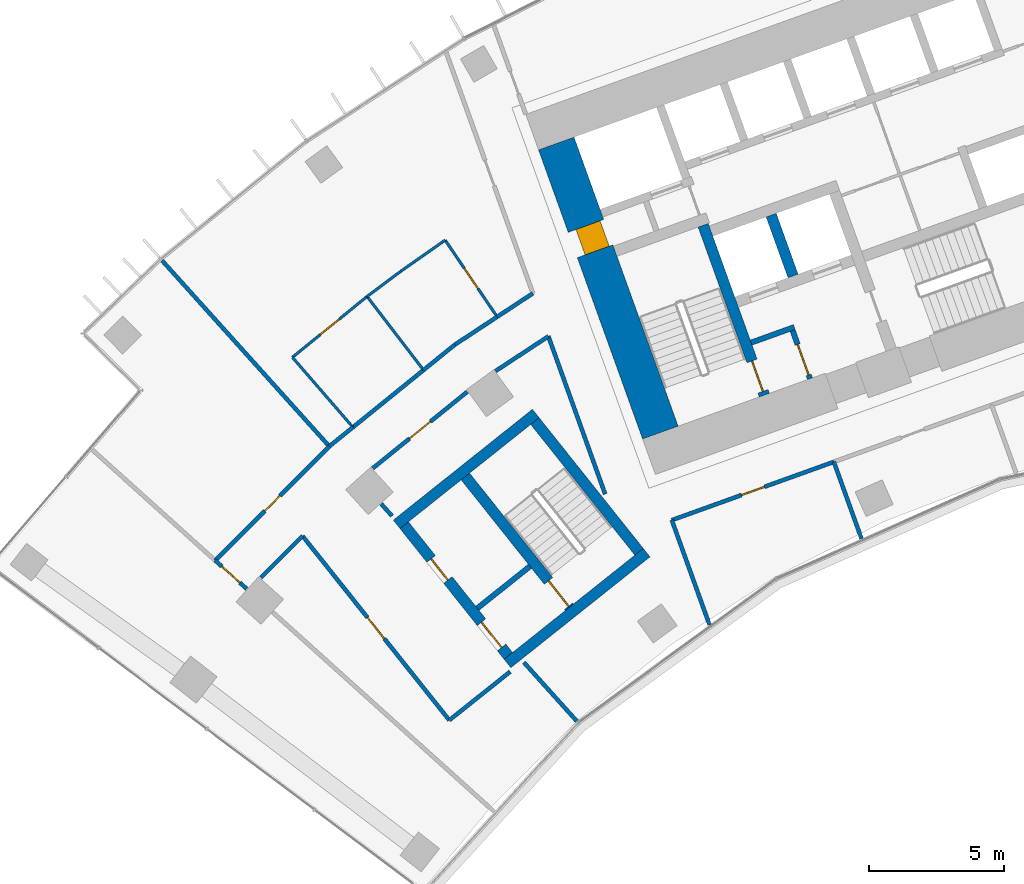
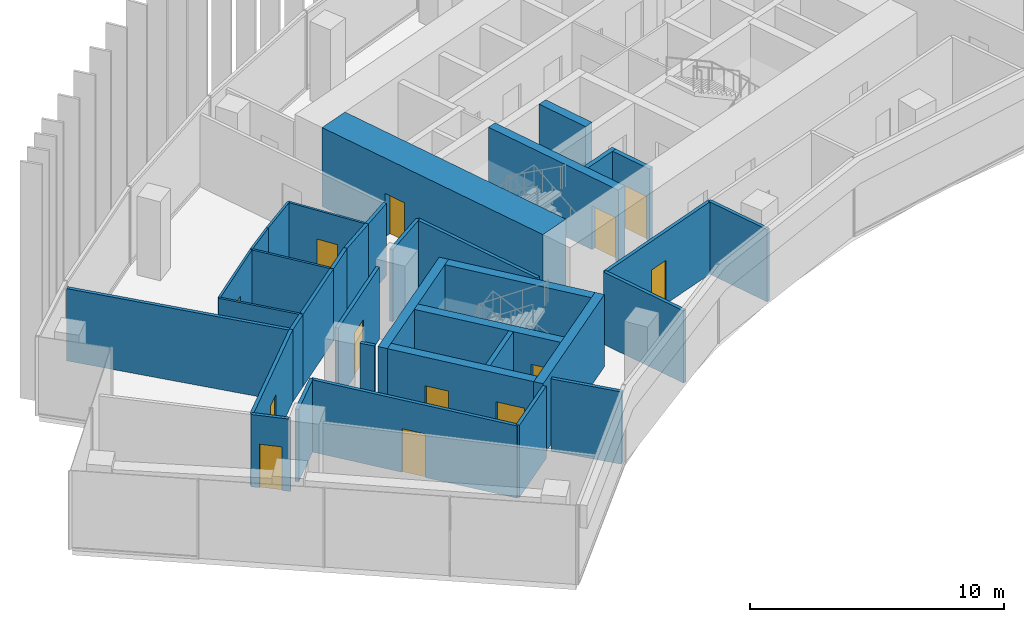
# One storey, part 15 of 23: 36 walls, 13 doors, 13 openings.
"""IFC4 building model written with IfcOpenShell, lengths in metres."""

import ifcopenshell
import ifcopenshell.guid

model = None  # the IFC model being written
_history = None  # IfcOwnerHistory: only IFC2X3 demands one
_inside = {}  # id of a spatial element -> (the spatial element, [elements in it])
_under = {}  # id of a project, library or spatial element -> (it, [spatial elements below it])
_declared = {}  # id of a project -> (the project, [libraries it declares])
_typed = {}  # id of a type object -> (the type object, [elements of that type])
_made_of = {}  # id of a material, layer set ... -> (it, [elements and type objects made of it])


def new_model(schema):
    """Start an empty IFC model of exactly this schema.

    Asked for "IFC4X3", IfcOpenShell would pick the latest addendum, in which some entities
    have other attributes; the version numbers below select the first issue.
    IFC2X3 requires an IfcOwnerHistory on every rooted entity: one is made here for all.
    """
    global model, _history
    if schema == "IFC4X3":
        model = ifcopenshell.file(schema_version=(4, 3, 0, 0))
    else:
        model = ifcopenshell.file(schema=schema)
    _inside.clear()
    _under.clear()
    _declared.clear()
    _typed.clear()
    _made_of.clear()
    _history = None
    if model.schema == "IFC2X3":
        org = make("IfcOrganization", Name="unknown")
        user = make(
            "IfcPersonAndOrganization",
            ThePerson=make("IfcPerson", FamilyName="unknown"),
            TheOrganization=org,
        )
        app = make(
            "IfcApplication",
            ApplicationDeveloper=org,
            Version="unknown",
            ApplicationFullName="unknown",
            ApplicationIdentifier="unknown",
        )
        _history = make(
            "IfcOwnerHistory",
            OwningUser=user,
            OwningApplication=app,
            ChangeAction="ADDED",
            CreationDate=0,
        )
    return model


def make(cls, **values):
    """One entity of the class cls with the attributes given. An attribute that is None is left unset."""
    return model.create_entity(
        cls, **{name: value for name, value in values.items() if value is not None}
    )


def rooted(cls, **values):
    """An entity with a GlobalId (a new one), such as an element, a storey or a relation."""
    return make(cls, GlobalId=ifcopenshell.guid.new(), OwnerHistory=_history, **values)


def si_unit(unit_type, name, prefix=None):
    """IfcSIUnit, for example si_unit("LENGTHUNIT", "METRE", prefix="MILLI")."""
    return make("IfcSIUnit", UnitType=unit_type, Prefix=prefix, Name=name)


def assignment(units):
    """IfcUnitAssignment: the units of a project."""
    return None if units is None else make("IfcUnitAssignment", Units=units)


def point(xyz):
    """IfcCartesianPoint."""
    return None if xyz is None else make("IfcCartesianPoint", Coordinates=xyz)


def direction(xyz):
    """IfcDirection."""
    return None if xyz is None else make("IfcDirection", DirectionRatios=xyz)


def frame(location, z_axis=None, x_axis=None):
    """IfcAxis2Placement3D, a coordinate frame: its origin and axes. An axis left out is left unset."""
    return make(
        "IfcAxis2Placement3D",
        Location=point(location),
        Axis=direction(z_axis),
        RefDirection=direction(x_axis),
    )


def frame_2d(location, x_axis=None):
    """IfcAxis2Placement2D, a coordinate frame in the plane: its origin and x axis."""
    return make(
        "IfcAxis2Placement2D", Location=point(location), RefDirection=direction(x_axis)
    )


def origin():
    """The frame at (0, 0, 0) with its axes left unset."""
    return frame((0.0, 0.0, 0.0))


def place(relative_to, where):
    """IfcLocalPlacement: puts the frame where relative to a parent placement (None: the world)."""
    return make(
        "IfcLocalPlacement", PlacementRelTo=relative_to, RelativePlacement=where
    )


def context(
    kind, dimensions, precision=None, world=None, true_north=None, identifier=None
):
    """IfcGeometricRepresentationContext, for example the 3D "Model" context."""
    return make(
        "IfcGeometricRepresentationContext",
        ContextIdentifier=identifier,
        ContextType=kind,
        CoordinateSpaceDimension=dimensions,
        Precision=precision,
        WorldCoordinateSystem=world,
        TrueNorth=true_north,
    )


def subcontext(parent, identifier, kind, view, scale=None):
    """IfcGeometricRepresentationSubContext, for example "Body" below "Model"."""
    return make(
        "IfcGeometricRepresentationSubContext",
        ContextIdentifier=identifier,
        ContextType=kind,
        ParentContext=parent,
        TargetScale=scale,
        TargetView=view,
    )


def project(units=None, contexts=None):
    """IfcProject with its units and contexts."""
    return rooted(
        "IfcProject",
        Name="project",
        RepresentationContexts=contexts,
        UnitsInContext=assignment(units),
    )


def spatial(cls, under=None, at=None, **own):
    """A site, building, storey or space (cls), placed at a placement, below another one or the project."""
    s = rooted(cls, ObjectPlacement=at, **own)
    if under is not None:
        _under.setdefault(under.id(), (under, []))[1].append(s)
    return s


def profile(cls, at=None, kind="AREA", **sizes):
    """A parametric profile (cls). Its sizes go by their IFC names, for example OverallWidth=200.0."""
    return make(cls, ProfileType=kind, Position=at, **sizes)


def rectangle(**sizes):
    """IfcRectangleProfileDef."""
    return profile("IfcRectangleProfileDef", **sizes)


def extrude(swept, where, along, depth):
    """IfcExtrudedAreaSolid: the profile swept, set in the frame where, extruded along a direction by depth."""
    return make(
        "IfcExtrudedAreaSolid",
        SweptArea=swept,
        Position=where,
        ExtrudedDirection=direction(along),
        Depth=depth,
    )


def shape(context_of_items, identifier, shape_type, items):
    """IfcShapeRepresentation: the items that make up one representation, for example the "Body"."""
    return make(
        "IfcShapeRepresentation",
        ContextOfItems=context_of_items,
        RepresentationIdentifier=identifier,
        RepresentationType=shape_type,
        Items=items,
    )


def material(Name=None, Category=None):
    """IfcMaterial."""
    return make("IfcMaterial", Name=Name, Category=Category)


def layer(
    of_material, thickness, ventilated=None, Name=None, Category=None, Priority=None
):
    """IfcMaterialLayer: one layer of a wall or slab, of a material (None: an air gap)."""
    return make(
        "IfcMaterialLayer",
        Material=of_material,
        LayerThickness=thickness,
        IsVentilated=ventilated,
        Name=Name,
        Category=Category,
        Priority=Priority,
    )


def layer_set(layers, Name=None):
    """IfcMaterialLayerSet."""
    return make("IfcMaterialLayerSet", MaterialLayers=layers, LayerSetName=Name)


def made_of(thing, what):
    """Note that an element or type object is made of a material, layer set ...; save() writes the relation."""
    if what is not None:
        _made_of.setdefault(what.id(), (what, []))[1].append(thing)
    return thing


def type_object(cls, material=None, **own):
    """A type object (cls), such as IfcWallType, which elements share."""
    return made_of(rooted(cls, **own), material)


def element(
    cls,
    number,
    at=None,
    inside=None,
    cuts=None,
    type_object=None,
    material=None,
    context=None,
    identifier="Body",
    shape_type=None,
    held_by="IfcProductDefinitionShape",
    body=None,
    shapes=None,
    **own,
):
    """One element of the class cls, such as IfcWall. Its Tag is "e" and its number.

    at: its placement. inside: the storey or other place that contains it. cuts: it is an
    opening in that element (IfcRelVoidsElement). A single representation is given by context,
    identifier, shape_type and body (its items); several are given by shapes. held_by: the class
    of the entity that holds the representations. save() writes the other relations.
    """
    e = rooted(cls, Tag="e%d" % number, ObjectPlacement=at, **own)
    if body is not None:
        shapes = [shape(context, identifier, shape_type, body)]
    if shapes is not None:
        e.Representation = make(held_by, Representations=shapes)
    if inside is not None:
        _inside.setdefault(inside.id(), (inside, []))[1].append(e)
    if cuts is not None:
        rooted(
            "IfcRelVoidsElement", RelatingBuildingElement=cuts, RelatedOpeningElement=e
        )
    if type_object is not None:
        _typed.setdefault(type_object.id(), (type_object, []))[1].append(e)
    return made_of(e, material)


def fill(opening, filler):
    """IfcRelFillsElement: the door or window that sits in an opening."""
    return rooted(
        "IfcRelFillsElement",
        RelatingOpeningElement=opening,
        RelatedBuildingElement=filler,
    )


def aggregate(whole, parts):
    """IfcRelAggregates: a whole, such as a stair, and the parts it consists of."""
    return rooted("IfcRelAggregates", RelatingObject=whole, RelatedObjects=parts)


def save(model, path):
    """Write the relations noted so far, then the file.

    IfcRelAggregates (storeys below a building ...), IfcRelContainedInSpatialStructure (elements
    in a storey), IfcRelDefinesByType, IfcRelAssociatesMaterial and IfcRelDeclares: one each for
    every whole, place, type object, material and project.
    """
    for whole, parts in _under.values():
        aggregate(whole, parts)
    for where, things in _inside.values():
        rooted(
            "IfcRelContainedInSpatialStructure",
            RelatedElements=things,
            RelatingStructure=where,
        )
    for kind, things in _typed.values():
        rooted("IfcRelDefinesByType", RelatedObjects=things, RelatingType=kind)
    for what, things in _made_of.values():
        rooted("IfcRelAssociatesMaterial", RelatedObjects=things, RelatingMaterial=what)
    for by, libraries in _declared.values():
        rooted("IfcRelDeclares", RelatingContext=by, RelatedDefinitions=libraries)
    model.write(path)


model = new_model("IFC4")

# Units and contexts
model_context = context("Model", 3, precision=1e-05, world=origin(), true_north=direction((0.0, 1.0)))
body_context = subcontext(model_context, "Body", "Model", "MODEL_VIEW")
ifc_project = project(units=[si_unit("LENGTHUNIT", "METRE"), si_unit("AREAUNIT", "SQUARE_METRE"), si_unit("VOLUMEUNIT", "CUBIC_METRE"), si_unit("PLANEANGLEUNIT", "RADIAN"), si_unit("MASSUNIT", "GRAM", prefix="KILO")], contexts=[model_context])

# Site, building, storey
site_placement = place(None, origin())
site = spatial("IfcSite", under=ifc_project, at=site_placement, CompositionType="ELEMENT")
building_placement = place(site_placement, origin())
building = spatial("IfcBuilding", under=site, at=building_placement, Name="Stone Belt Terrace Tower", CompositionType="ELEMENT")
storey_placement = place(building_placement, frame((0.0, 0.0, 178.199951171875)))
storey = spatial("IfcBuildingStorey", under=building, at=storey_placement, Name="L43", CompositionType="ELEMENT", Elevation=178.199951171875)

# Wall, opening, door
ifc_material_1 = material(Name="Concrete B80", Category="concrete")
ifc_layer_1 = layer(ifc_material_1, 1.39990234375)
ifc_layer_set_1 = layer_set([ifc_layer_1], Name="Core wall 1400 B80")
wall_type_1 = type_object("IfcWallType", Name="Core wall 1400 B80", PredefinedType="SHEAR", material=ifc_layer_set_1)
wall_1_placement = place(storey_placement, frame((-26.00927734375, 43.03515625, 0.0), z_axis=(0.0, 0.0, 1.0), x_axis=(-0.338625431531, 0.940921259788, 0.0)))
wall_1 = element("IfcWall", 1, at=wall_1_placement, inside=storey, type_object=wall_type_1, Name="Core A wall end_a L43", PredefinedType="SHEAR", context=body_context, shape_type="SweptSolid", body=[
    extrude(rectangle(XDim=11.400146484375, YDim=1.39990234375, at=frame_2d((5.7001953125, 0.0))), origin(), (0.0, 0.0, 1.0), 3.800048828125),
])
opening_1_placement = place(wall_1_placement, frame((7.14990234375, 0.0, 0.0)))
opening_1 = element("IfcOpeningElement", 2, at=opening_1_placement, cuts=wall_1, Name="Opening L43-C04", PredefinedType="OPENING", context=body_context, shape_type="SweptSolid", body=[
    extrude(rectangle(XDim=1.0, YDim=2.10009765625, at=frame_2d((0.5, 1.050048828125))), frame((0.0, 0.7099609375, 0.0), z_axis=(0.0, -1.0, 0.0), x_axis=(1.0, 0.0, 0.0)), (0.0, 0.0, 1.0), 1.419921875),
])
ifc_material_2 = material(Name="Timber door leaf", Category="wood")
door_type_1 = type_object("IfcDoorType", Name="Core room door 1000", OperationType="SINGLE_SWING_LEFT", PredefinedType="DOOR", material=ifc_material_2)
door_1_placement = place(opening_1_placement, origin())
door_1 = element("IfcDoor", 3, at=door_1_placement, inside=storey, type_object=door_type_1, Name="Door to Telecommunications riser room core A", OperationType="SINGLE_SWING_LEFT", OverallHeight=2.10009765625, OverallWidth=1.0, PredefinedType="DOOR", context=body_context, shape_type="SweptSolid", body=[
    extrude(rectangle(XDim=1.0, YDim=2.10009765625, at=frame_2d((0.5, 1.050048828125))), frame((0.0, 0.39501953125, 0.0), z_axis=(0.0, -1.0, 0.0), x_axis=(1.0, 0.0, 0.0)), (0.0, 0.0, 1.0), 0.949951171875),
])
fill(opening_1, door_1)

# Wall
ifc_layer_2 = layer(ifc_material_1, 0.39990234375)
ifc_layer_set_2 = layer_set([ifc_layer_2], Name="Fire-fighting lift shaft wall 400")
wall_type_2 = type_object("IfcWallType", Name="Fire-fighting lift shaft wall 400", PredefinedType="SHEAR", material=ifc_layer_set_2)
wall_2_placement = place(storey_placement, frame((-21.0859375, 48.845458984375, 0.0), z_axis=(0.0, 0.0, 1.0), x_axis=(-0.338629416206, 0.940919825745, 0.0)))
element("IfcWall", 4, at=wall_2_placement, inside=storey, type_object=wall_type_2, Name="Core A wall", PredefinedType="SHEAR", context=body_context, shape_type="SweptSolid", body=[
    extrude(rectangle(XDim=2.400146484375, YDim=0.39990234375, at=frame_2d((1.2001953125, 0.0))), origin(), (0.0, 0.0, 1.0), 3.47998046875),
])

# Wall, opening, door
ifc_material_3 = material(Name="Gypsum board partition")
ifc_layer_3 = layer(ifc_material_3, 0.10009765625)
ifc_layer_set_3 = layer_set([ifc_layer_3], Name="PARTITION 100")
wall_type_3 = type_object("IfcWallType", Name="PARTITION 100", PredefinedType="PARTITIONING", material=ifc_layer_set_3)
wall_3_placement = place(storey_placement, frame((-36.89111328125, 48.0859375, 0.0), z_axis=(0.0, 0.0, 1.0), x_axis=(-0.775070161855, -0.631875180872, 0.0)))
wall_3 = element("IfcWall", 5, at=wall_3_placement, inside=storey, type_object=wall_type_3, Name="L43/wall/i050", PredefinedType="PARTITIONING", context=body_context, shape_type="SweptSolid", body=[
    extrude(rectangle(XDim=3.573486328125, YDim=0.10009765625, at=frame_2d((1.78662109375, 0.0))), origin(), (0.0, 0.0, 1.0), 3.47998046875),
])
opening_2_placement = place(wall_3_placement, frame((1.3369140625, 0.0, 0.0)))
opening_2 = element("IfcOpeningElement", 6, at=opening_2_placement, cuts=wall_3, Name="Opening D-C4-15", PredefinedType="OPENING", context=body_context, shape_type="SweptSolid", body=[
    extrude(rectangle(XDim=0.89990234375, YDim=2.10009765625, at=frame_2d((0.449951171875, 1.050048828125))), frame((0.0, 0.06005859375, 0.0), z_axis=(0.0, -1.0, 0.0), x_axis=(1.0, 0.0, 0.0)), (0.0, 0.0, 1.0), 0.1201171875),
])
door_type_2 = type_object("IfcDoorType", Name="OFFICE DOOR 900 X 2100", OperationType="NOTDEFINED", PredefinedType="DOOR", material=ifc_material_2)
door_2_placement = place(opening_2_placement, origin())
door_2 = element("IfcDoor", 7, at=door_2_placement, inside=storey, type_object=door_type_2, Name="L43/door/i15", OperationType="SINGLE_SWING_RIGHT", OverallHeight=2.10009765625, OverallWidth=0.89990234375, PredefinedType="DOOR", context=body_context, shape_type="SweptSolid", body=[
    extrude(rectangle(XDim=0.89990234375, YDim=2.10009765625, at=frame_2d((0.449951171875, 1.050048828125))), frame((0.0, 0.02490234375, 0.0), z_axis=(0.0, -1.0, 0.0), x_axis=(1.0, 0.0, 0.0)), (0.0, 0.0, 1.0), 0.050048828125),
])
fill(opening_2, door_2)

# Wall
wall_4_placement = place(storey_placement, frame((-39.660888671875, 45.827880859375, 0.0), z_axis=(0.0, 0.0, 1.0), x_axis=(0.654388482768, -0.756158524134, 0.0)))
element("IfcWall", 8, at=wall_4_placement, inside=storey, type_object=wall_type_3, Name="L43/wall/i051", PredefinedType="PARTITIONING", context=body_context, shape_type="SweptSolid", body=[
    extrude(rectangle(XDim=3.430419921875, YDim=0.10009765625, at=frame_2d((1.71533203125, 0.0))), origin(), (0.0, 0.0, 1.0), 3.47998046875),
])

# Wall, opening, door
wall_5_placement = place(storey_placement, frame((-32.06494140625, 47.330078125, 0.0), z_axis=(0.0, 0.0, 1.0), x_axis=(-0.560863849022, 0.827908052178, 0.0)))
wall_5 = element("IfcWall", 9, at=wall_5_placement, inside=storey, type_object=wall_type_3, Name="L43/wall/i052", PredefinedType="PARTITIONING", context=body_context, shape_type="SweptSolid", body=[
    extrude(rectangle(XDim=3.4375, YDim=0.10009765625, at=frame_2d((1.71875, 0.0))), origin(), (0.0, 0.0, 1.0), 3.47998046875),
])
opening_3_placement = place(wall_5_placement, frame((1.268798828125, 0.0, 0.0)))
opening_3 = element("IfcOpeningElement", 10, at=opening_3_placement, cuts=wall_5, Name="Opening D-C4-16", PredefinedType="OPENING", context=body_context, shape_type="SweptSolid", body=[
    extrude(rectangle(XDim=0.89990234375, YDim=2.10009765625, at=frame_2d((0.449951171875, 1.050048828125))), frame((0.0, 0.06005859375, 0.0), z_axis=(0.0, -1.0, 0.0), x_axis=(1.0, 0.0, 0.0)), (0.0, 0.0, 1.0), 0.1201171875),
])
door_3_placement = place(opening_3_placement, origin())
door_3 = element("IfcDoor", 11, at=door_3_placement, inside=storey, type_object=door_type_2, Name="L43/door/i16", OperationType="SINGLE_SWING_RIGHT", OverallHeight=2.10009765625, OverallWidth=0.89990234375, PredefinedType="DOOR", context=body_context, shape_type="SweptSolid", body=[
    extrude(rectangle(XDim=0.89990234375, YDim=2.10009765625, at=frame_2d((0.449951171875, 1.050048828125))), frame((0.0, 0.02490234375, 0.0), z_axis=(0.0, -1.0, 0.0), x_axis=(1.0, 0.0, 0.0)), (0.0, 0.0, 1.0), 0.050048828125),
])
fill(opening_3, door_3)

# Walls
wall_6_placement = place(storey_placement, frame((-33.992919921875, 50.176025390625, 0.0), z_axis=(0.0, 0.0, 1.0), x_axis=(-0.818696166389, -0.574226947418, 0.0)))
element("IfcWall", 12, at=wall_6_placement, inside=storey, type_object=wall_type_3, Name="L43/wall/i053", PredefinedType="PARTITIONING", context=body_context, shape_type="SweptSolid", body=[
    extrude(rectangle(XDim=1.992431640625, YDim=0.10009765625, at=frame_2d((0.99609375, 0.0))), origin(), (0.0, 0.0, 1.0), 3.47998046875),
])
wall_7_placement = place(storey_placement, frame((-35.6240234375, 49.031982421875, 0.0), z_axis=(0.0, 0.0, 1.0), x_axis=(-0.801295024865, -0.598269406812, 0.0)))
element("IfcWall", 13, at=wall_7_placement, inside=storey, type_object=wall_type_3, Name="L43/wall/i054", PredefinedType="PARTITIONING", context=body_context, shape_type="SweptSolid", body=[
    extrude(rectangle(XDim=1.581298828125, YDim=0.10009765625, at=frame_2d((0.79052734375, 0.0))), origin(), (0.0, 0.0, 1.0), 3.47998046875),
])
wall_8_placement = place(storey_placement, frame((-36.89111328125, 48.0859375, 0.0), z_axis=(0.0, 0.0, 1.0), x_axis=(0.60861624927, -0.793464719521, 0.0)))
element("IfcWall", 14, at=wall_8_placement, inside=storey, type_object=wall_type_3, Name="L43/wall/i056", PredefinedType="PARTITIONING", context=body_context, shape_type="SweptSolid", body=[
    extrude(rectangle(XDim=3.440673828125, YDim=0.10009765625, at=frame_2d((1.72021484375, 0.0))), origin(), (0.0, 0.0, 1.0), 3.47998046875),
])
ifc_layer_4 = layer(ifc_material_3, 0.14990234375)
ifc_layer_set_4 = layer_set([ifc_layer_4], Name="PARTITION 150 EI 60")
wall_type_4 = type_object("IfcWallType", Name="PARTITION 150 EI 60", PredefinedType="PARTITIONING", material=ifc_layer_set_4)
wall_9_placement = place(storey_placement, frame((-25.5859375, 39.79296875, 0.0), z_axis=(0.0, 0.0, 1.0), x_axis=(0.338545933013, -0.940949866486, 0.0)))
element("IfcWall", 15, at=wall_9_placement, inside=storey, type_object=wall_type_4, Name="L43/wall/i001", PredefinedType="PARTITIONING", context=body_context, shape_type="SweptSolid", body=[
    extrude(rectangle(XDim=4.135009765625, YDim=0.14990234375, at=frame_2d((2.0673828125, 0.0))), origin(), (0.0, 0.0, 1.0), 3.47998046875),
])
wall_10_placement = place(storey_placement, frame((-28.05810546875, 40.75390625, 0.0), z_axis=(0.0, 0.0, 1.0), x_axis=(-0.338523697563, 0.94095786632, 0.0)))
element("IfcWall", 16, at=wall_10_placement, inside=storey, type_object=wall_type_4, Name="L43/wall/i003", PredefinedType="PARTITIONING", context=body_context, shape_type="SweptSolid", body=[
    extrude(rectangle(XDim=6.226806640625, YDim=0.14990234375, at=frame_2d((3.11328125, 0.0))), origin(), (0.0, 0.0, 1.0), 3.47998046875),
])
wall_11_placement = place(storey_placement, frame((-29.107177734375, 32.32666015625, 0.0), z_axis=(0.0, 0.0, 1.0), x_axis=(-0.669245075227, 0.74304174128, 0.0)))
element("IfcWall", 17, at=wall_11_placement, inside=storey, type_object=wall_type_4, Name="L43/wall/i004", PredefinedType="PARTITIONING", context=body_context, shape_type="SweptSolid", body=[
    extrude(rectangle(XDim=2.9345703125, YDim=0.14990234375, at=frame_2d((1.46728515625, 0.0))), origin(), (0.0, 0.0, 1.0), 3.47998046875),
])

# Wall, opening, door
wall_12_placement = place(storey_placement, frame((-19.56689453125, 41.951904296875, 0.0), z_axis=(0.0, 0.0, 1.0), x_axis=(-0.94095504423, -0.338531541718, 0.0)))
wall_12 = element("IfcWall", 18, at=wall_12_placement, inside=storey, type_object=wall_type_4, Name="L43/wall/i011", PredefinedType="PARTITIONING", context=body_context, shape_type="SweptSolid", body=[
    extrude(rectangle(XDim=6.394775390625, YDim=0.14990234375, at=frame_2d((3.197265625, 0.0))), origin(), (0.0, 0.0, 1.0), 3.47998046875),
])
opening_4_placement = place(wall_12_placement, frame((2.747314453125, 0.0, 0.0)))
opening_4 = element("IfcOpeningElement", 19, at=opening_4_placement, cuts=wall_12, Name="Opening D-C4-01", PredefinedType="OPENING", context=body_context, shape_type="SweptSolid", body=[
    extrude(rectangle(XDim=0.89990234375, YDim=2.10009765625, at=frame_2d((0.449951171875, 1.050048828125))), frame((0.0, 0.0849609375, 0.0), z_axis=(0.0, -1.0, 0.0), x_axis=(1.0, 0.0, 0.0)), (0.0, 0.0, 1.0), 0.169921875),
])
door_4_placement = place(opening_4_placement, origin())
door_4 = element("IfcDoor", 20, at=door_4_placement, inside=storey, type_object=door_type_2, Name="L43/door/i01", OperationType="SINGLE_SWING_RIGHT", OverallHeight=2.10009765625, OverallWidth=0.89990234375, PredefinedType="DOOR", context=body_context, shape_type="SweptSolid", body=[
    extrude(rectangle(XDim=0.89990234375, YDim=2.10009765625, at=frame_2d((0.449951171875, 1.050048828125))), frame((0.0, 0.02490234375, 0.0), z_axis=(0.0, -1.0, 0.0), x_axis=(1.0, 0.0, 0.0)), (0.0, 0.0, 1.0), 0.050048828125),
])
fill(opening_4, door_4)

# Wall
wall_13_placement = place(storey_placement, frame((-19.572998046875, 41.949951171875, 0.0), z_axis=(0.0, 0.0, 1.0), x_axis=(0.33890202665, -0.940821670845, 0.0)))
element("IfcWall", 21, at=wall_13_placement, inside=storey, type_object=wall_type_4, Name="L43/wall/i014", PredefinedType="PARTITIONING", context=body_context, shape_type="SweptSolid", body=[
    extrude(rectangle(XDim=3.03076171875, YDim=0.14990234375, at=frame_2d((1.515380859375, 0.0))), origin(), (0.0, 0.0, 1.0), 3.47998046875),
])

# Wall, opening, door
wall_14_placement = place(storey_placement, frame((-41.35986328125, 37.240478515625, 0.0), z_axis=(0.0, 0.0, 1.0), x_axis=(-0.742885543222, 0.669418456327, 0.0)))
wall_14 = element("IfcWall", 22, at=wall_14_placement, inside=storey, type_object=wall_type_4, Name="L43/wall/i035", PredefinedType="PARTITIONING", context=body_context, shape_type="SweptSolid", body=[
    extrude(rectangle(XDim=1.5751953125, YDim=0.14990234375, at=frame_2d((0.78759765625, 0.0))), origin(), (0.0, 0.0, 1.0), 3.47998046875),
])
opening_5_placement = place(wall_14_placement, frame((0.337646484375, 0.0, 0.0)))
opening_5 = element("IfcOpeningElement", 23, at=opening_5_placement, cuts=wall_14, Name="Opening D-C4-11", PredefinedType="OPENING", context=body_context, shape_type="SweptSolid", body=[
    extrude(rectangle(XDim=0.89990234375, YDim=2.10009765625, at=frame_2d((0.449951171875, 1.050048828125))), frame((0.0, 0.0849609375, 0.0), z_axis=(0.0, -1.0, 0.0), x_axis=(1.0, 0.0, 0.0)), (0.0, 0.0, 1.0), 0.169921875),
])
door_5_placement = place(opening_5_placement, origin())
door_5 = element("IfcDoor", 24, at=door_5_placement, inside=storey, type_object=door_type_2, Name="L43/door/i11", OperationType="SINGLE_SWING_RIGHT", OverallHeight=2.10009765625, OverallWidth=0.89990234375, PredefinedType="DOOR", context=body_context, shape_type="SweptSolid", body=[
    extrude(rectangle(XDim=0.89990234375, YDim=2.10009765625, at=frame_2d((0.449951171875, 1.050048828125))), frame((0.0, 0.02490234375, 0.0), z_axis=(0.0, -1.0, 0.0), x_axis=(1.0, 0.0, 0.0)), (0.0, 0.0, 1.0), 0.050048828125),
])
fill(opening_5, door_5)

# Wall
wall_15_placement = place(storey_placement, frame((-30.1640625, 46.60693359375, 0.0), z_axis=(0.0, 0.0, 1.0), x_axis=(-0.835406992815, -0.549631837102, 0.0)))
element("IfcWall", 25, at=wall_15_placement, inside=storey, type_object=wall_type_4, Name="L43/wall/i038", PredefinedType="PARTITIONING", context=body_context, shape_type="SweptSolid", body=[
    extrude(rectangle(XDim=2.339111328125, YDim=0.14990234375, at=frame_2d((1.16943359375, 0.0))), origin(), (0.0, 0.0, 1.0), 3.47998046875),
])

# Wall, opening, door
wall_16_placement = place(storey_placement, frame((-33.17578125, 44.548095703125, 0.0), z_axis=(0.0, 0.0, 1.0), x_axis=(-0.777148951547, -0.629316698578, 0.0)))
wall_16 = element("IfcWall", 26, at=wall_16_placement, inside=storey, type_object=wall_type_4, Name="L43/wall/i039", PredefinedType="PARTITIONING", context=body_context, shape_type="SweptSolid", body=[
    extrude(rectangle(XDim=4.505126953125, YDim=0.14990234375, at=frame_2d((2.25244140625, 0.0))), origin(), (0.0, 0.0, 1.0), 3.47998046875),
])
opening_6_placement = place(wall_16_placement, frame((1.752685546875, 0.0, 0.0)))
opening_6 = element("IfcOpeningElement", 27, at=opening_6_placement, cuts=wall_16, Name="Opening D-C4-12", PredefinedType="OPENING", context=body_context, shape_type="SweptSolid", body=[
    extrude(rectangle(XDim=1.0, YDim=2.10009765625, at=frame_2d((0.5, 1.050048828125))), frame((0.0, 0.0849609375, 0.0), z_axis=(0.0, -1.0, 0.0), x_axis=(1.0, 0.0, 0.0)), (0.0, 0.0, 1.0), 0.169921875),
])
ifc_material_4 = material(Name="Timber fire door leaf", Category="wood")
door_type_3 = type_object("IfcDoorType", Name="TENANCY ENTRANCE DOOR 1000 X 2100", OperationType="NOTDEFINED", PredefinedType="DOOR", material=ifc_material_4)
door_6_placement = place(opening_6_placement, origin())
door_6 = element("IfcDoor", 28, at=door_6_placement, inside=storey, type_object=door_type_3, Name="L43/door/i12", OperationType="SINGLE_SWING_RIGHT", OverallHeight=2.10009765625, OverallWidth=1.0, PredefinedType="DOOR", context=body_context, shape_type="SweptSolid", body=[
    extrude(rectangle(XDim=1.0, YDim=2.10009765625, at=frame_2d((0.5, 1.050048828125))), frame((0.0, 0.02490234375, 0.0), z_axis=(0.0, -1.0, 0.0), x_axis=(1.0, 0.0, 0.0)), (0.0, 0.0, 1.0), 0.050048828125),
])
fill(opening_6, door_6)

# Walls
wall_17_placement = place(storey_placement, frame((-39.281982421875, 39.205078125, 0.0), z_axis=(0.0, 0.0, 1.0), x_axis=(-0.707106781187, -0.707106781187, 0.0)))
element("IfcWall", 29, at=wall_17_placement, inside=storey, type_object=wall_type_4, Name="L43/wall/i040", PredefinedType="PARTITIONING", context=body_context, shape_type="SweptSolid", body=[
    extrude(rectangle(XDim=2.1982421875, YDim=0.14990234375, at=frame_2d((1.09912109375, 0.0))), origin(), (0.0, 0.0, 1.0), 3.47998046875),
])
wall_18_placement = place(storey_placement, frame((-38.291015625, 42.52587890625, 0.0), z_axis=(0.0, 0.0, 1.0), x_axis=(0.777385460985, 0.629024518639, 0.0)))
element("IfcWall", 30, at=wall_18_placement, inside=storey, type_object=wall_type_4, Name="L43/wall/i041", PredefinedType="PARTITIONING", context=body_context, shape_type="SweptSolid", body=[
    extrude(rectangle(XDim=1.132080078125, YDim=0.14990234375, at=frame_2d((0.56591796875, 0.0))), origin(), (0.0, 0.0, 1.0), 3.47998046875),
])
wall_19_placement = place(storey_placement, frame((-32.070068359375, 47.326904296875, 0.0), z_axis=(0.0, 0.0, 1.0), x_axis=(0.835335614393, 0.549740312627, 0.0)))
element("IfcWall", 31, at=wall_19_placement, inside=storey, type_object=wall_type_4, Name="L43/wall/i042", PredefinedType="PARTITIONING", context=body_context, shape_type="SweptSolid", body=[
    extrude(rectangle(XDim=1.593505859375, YDim=0.14990234375, at=frame_2d((0.796875, 0.0))), origin(), (0.0, 0.0, 1.0), 3.47998046875),
])
wall_20_placement = place(storey_placement, frame((-37.4208984375, 43.22998046875, 0.0), z_axis=(0.0, 0.0, 1.0), x_axis=(0.777137294905, 0.629331093199, 0.0)))
element("IfcWall", 32, at=wall_20_placement, inside=storey, type_object=wall_type_4, Name="L43/wall/i043", PredefinedType="PARTITIONING", context=body_context, shape_type="SweptSolid", body=[
    extrude(rectangle(XDim=3.3828125, YDim=0.14990234375, at=frame_2d((1.69140625, 0.0))), origin(), (0.0, 0.0, 1.0), 3.47998046875),
])
wall_21_placement = place(storey_placement, frame((-34.801025390625, 45.35205078125, 0.0), z_axis=(0.0, 0.0, 1.0), x_axis=(0.777009721249, 0.629488596469, 0.0)))
element("IfcWall", 33, at=wall_21_placement, inside=storey, type_object=wall_type_4, Name="L43/wall/i044", PredefinedType="PARTITIONING", context=body_context, shape_type="SweptSolid", body=[
    extrude(rectangle(XDim=1.499267578125, YDim=0.14990234375, at=frame_2d((0.74951171875, 0.0))), origin(), (0.0, 0.0, 1.0), 3.47998046875),
])
wall_22_placement = place(storey_placement, frame((-33.635986328125, 46.2958984375, 0.0), z_axis=(0.0, 0.0, 1.0), x_axis=(0.835340453999, 0.549732958728, 0.0)))
element("IfcWall", 34, at=wall_22_placement, inside=storey, type_object=wall_type_4, Name="L43/wall/i045", PredefinedType="PARTITIONING", context=body_context, shape_type="SweptSolid", body=[
    extrude(rectangle(XDim=1.886474609375, YDim=0.14990234375, at=frame_2d((0.943359375, 0.0))), origin(), (0.0, 0.0, 1.0), 3.47998046875),
])

# Wall, opening, door
wall_23_placement = place(storey_placement, frame((-42.52587890625, 38.291015625, 0.0), z_axis=(0.0, 0.0, 1.0), x_axis=(0.707086417847, 0.70712714394, 0.0)))
wall_23 = element("IfcWall", 35, at=wall_23_placement, inside=storey, type_object=wall_type_4, Name="L43/wall/i046", PredefinedType="PARTITIONING", context=body_context, shape_type="SweptSolid", body=[
    extrude(rectangle(XDim=5.99462890625, YDim=0.14990234375, at=frame_2d((2.997314453125, 0.0))), origin(), (0.0, 0.0, 1.0), 3.47998046875),
])
opening_7_placement = place(wall_23_placement, frame((2.597412109375, 0.0, 0.0)))
opening_7 = element("IfcOpeningElement", 36, at=opening_7_placement, cuts=wall_23, Name="Opening D-C4-17", PredefinedType="OPENING", context=body_context, shape_type="SweptSolid", body=[
    extrude(rectangle(XDim=0.800048828125, YDim=2.10009765625, at=frame_2d((0.39990234375, 1.050048828125))), frame((0.0, 0.0849609375, 0.0), z_axis=(0.0, -1.0, 0.0), x_axis=(1.0, 0.0, 0.0)), (0.0, 0.0, 1.0), 0.169921875),
])
door_type_4 = type_object("IfcDoorType", Name="STORE DOOR 800 X 2100", OperationType="NOTDEFINED", PredefinedType="DOOR", material=ifc_material_2)
door_7_placement = place(opening_7_placement, origin())
door_7 = element("IfcDoor", 37, at=door_7_placement, inside=storey, type_object=door_type_4, Name="L43/door/i17", OperationType="SINGLE_SWING_RIGHT", OverallHeight=2.10009765625, OverallWidth=0.800048828125, PredefinedType="DOOR", context=body_context, shape_type="SweptSolid", body=[
    extrude(rectangle(XDim=0.800048828125, YDim=2.10009765625, at=frame_2d((0.39990234375, 1.050048828125))), frame((0.0, 0.02490234375, 0.0), z_axis=(0.0, -1.0, 0.0), x_axis=(1.0, 0.0, 0.0)), (0.0, 0.0, 1.0), 0.050048828125),
])
fill(opening_7, door_7)

# Walls
wall_24_placement = place(storey_placement, frame((-36.364013671875, 40.38623046875, 0.0), z_axis=(0.0, 0.0, 1.0), x_axis=(0.668964731622, -0.743294146247, 0.0)))
element("IfcWall", 38, at=wall_24_placement, inside=storey, type_object=wall_type_4, Name="L43/wall/i047", PredefinedType="PARTITIONING", context=body_context, shape_type="SweptSolid", body=[
    extrude(rectangle(XDim=0.597900390625, YDim=0.14990234375, at=frame_2d((0.298828125, 0.0))), origin(), (0.0, 0.0, 1.0), 3.47998046875),
])
wall_25_placement = place(storey_placement, frame((-31.58203125, 34.1640625, 0.0), z_axis=(0.0, 0.0, 1.0), x_axis=(-0.78211299795, -0.623136629029, 0.0)))
element("IfcWall", 39, at=wall_25_placement, inside=storey, type_object=wall_type_4, Name="L43/wall/i048", PredefinedType="PARTITIONING", context=body_context, shape_type="SweptSolid", body=[
    extrude(rectangle(XDim=2.88720703125, YDim=0.14990234375, at=frame_2d((1.443603515625, 0.0))), origin(), (0.0, 0.0, 1.0), 3.47998046875),
])

# Wall, opening, door
wall_26_placement = place(storey_placement, frame((-33.841064453125, 32.365966796875, 0.0), z_axis=(0.0, 0.0, 1.0), x_axis=(-0.623078744687, 0.782159112917, 0.0)))
wall_26 = element("IfcWall", 40, at=wall_26_placement, inside=storey, type_object=wall_type_4, Name="L43/wall/i049", PredefinedType="PARTITIONING", context=body_context, shape_type="SweptSolid", body=[
    extrude(rectangle(XDim=8.738525390625, YDim=0.14990234375, at=frame_2d((4.369140625, 0.0))), origin(), (0.0, 0.0, 1.0), 3.47998046875),
])
opening_8_placement = place(wall_26_placement, frame((3.869384765625, 0.0, 0.0)))
opening_8 = element("IfcOpeningElement", 41, at=opening_8_placement, cuts=wall_26, Name="Opening D-C4-13", PredefinedType="OPENING", context=body_context, shape_type="SweptSolid", body=[
    extrude(rectangle(XDim=1.0, YDim=2.10009765625, at=frame_2d((0.5, 1.050048828125))), frame((0.0, 0.0849609375, 0.0), z_axis=(0.0, -1.0, 0.0), x_axis=(1.0, 0.0, 0.0)), (0.0, 0.0, 1.0), 0.169921875),
])
door_8_placement = place(opening_8_placement, origin())
door_8 = element("IfcDoor", 42, at=door_8_placement, inside=storey, type_object=door_type_3, Name="L43/door/i13", OperationType="SINGLE_SWING_RIGHT", OverallHeight=2.10009765625, OverallWidth=1.0, PredefinedType="DOOR", context=body_context, shape_type="SweptSolid", body=[
    extrude(rectangle(XDim=1.0, YDim=2.10009765625, at=frame_2d((0.5, 1.050048828125))), frame((0.0, 0.02490234375, 0.0), z_axis=(0.0, -1.0, 0.0), x_axis=(1.0, 0.0, 0.0)), (0.0, 0.0, 1.0), 0.050048828125),
])
fill(opening_8, door_8)

# Walls
wall_27_placement = place(storey_placement, frame((-38.291015625, 42.52587890625, 0.0), z_axis=(0.0, 0.0, 1.0), x_axis=(-0.669060704206, 0.743207759706, 0.0)))
element("IfcWall", 43, at=wall_27_placement, inside=storey, type_object=wall_type_4, Name="L43/wall/i055", PredefinedType="PARTITIONING", context=body_context, shape_type="SweptSolid", body=[
    extrude(rectangle(XDim=9.275390625, YDim=0.14990234375, at=frame_2d((4.6376953125, 0.0))), origin(), (0.0, 0.0, 1.0), 3.47998046875),
])
ifc_material_5 = material(Name="Concrete masonry block", Category="masonry")
ifc_layer_5 = layer(ifc_material_5, 0.199951171875)
ifc_layer_set_5 = layer_set([ifc_layer_5], Name="Rated lobby wall 200")
wall_type_5 = type_object("IfcWallType", Name="Rated lobby wall 200", PredefinedType="PARTITIONING", material=ifc_layer_set_5)
wall_28_placement = place(storey_placement, frame((-22.640625, 46.373046875, 0.0), z_axis=(0.0, 0.0, 1.0), x_axis=(0.940966110313, 0.338500781747, 0.0)))
element("IfcWall", 44, at=wall_28_placement, inside=storey, type_object=wall_type_5, Name="Core A wall", PredefinedType="PARTITIONING", context=body_context, shape_type="SweptSolid", body=[
    extrude(rectangle(XDim=1.699951171875, YDim=0.199951171875, at=frame_2d((0.85009765625, 0.0))), origin(), (0.0, 0.0, 1.0), 3.47998046875),
])

# Wall, opening, door
wall_29_placement = place(storey_placement, frame((-20.4580078125, 45.032958984375, 0.0), z_axis=(0.0, 0.0, 1.0), x_axis=(-0.338573865316, 0.940939816208, 0.0)))
wall_29 = element("IfcWall", 45, at=wall_29_placement, inside=storey, type_object=wall_type_5, Name="Core A wall", PredefinedType="PARTITIONING", context=body_context, shape_type="SweptSolid", body=[
    extrude(rectangle(XDim=1.900146484375, YDim=0.199951171875, at=frame_2d((0.9501953125, 0.0))), origin(), (0.0, 0.0, 1.0), 3.47998046875),
])
opening_9_placement = place(wall_29_placement, frame((0.14990234375, 0.0, 0.0)))
opening_9 = element("IfcOpeningElement", 46, at=opening_9_placement, cuts=wall_29, Name="Opening L43-C09", PredefinedType="OPENING", context=body_context, shape_type="SweptSolid", body=[
    extrude(rectangle(XDim=1.199951171875, YDim=2.10009765625, at=frame_2d((0.60009765625, 1.050048828125))), frame((0.0, 0.10986328125, 0.0), z_axis=(0.0, -1.0, 0.0), x_axis=(1.0, 0.0, 0.0)), (0.0, 0.0, 1.0), 0.219970703125),
])
ifc_material_6 = material(Name="Steel door leaf", Category="steel")
door_type_5 = type_object("IfcDoorType", Name="Stair door 1200", OperationType="SINGLE_SWING_LEFT", PredefinedType="DOOR", material=ifc_material_6)
door_9_placement = place(opening_9_placement, origin())
door_9 = element("IfcDoor", 47, at=door_9_placement, inside=storey, type_object=door_type_5, Name="Stair airlock door core A", OperationType="SINGLE_SWING_RIGHT", OverallHeight=2.10009765625, OverallWidth=1.199951171875, PredefinedType="DOOR", context=body_context, shape_type="SweptSolid", body=[
    extrude(rectangle(XDim=1.199951171875, YDim=2.10009765625, at=frame_2d((0.60009765625, 1.050048828125))), frame((0.0, 0.02490234375, 0.0), z_axis=(0.0, -1.0, 0.0), x_axis=(1.0, 0.0, 0.0)), (0.0, 0.0, 1.0), 0.050048828125),
])
fill(opening_9, door_9)

# Wall
wall_30_placement = place(storey_placement, frame((-30.845703125, 38.074951171875, 0.0), z_axis=(0.0, 0.0, 1.0), x_axis=(-0.782115323833, -0.623133709749, 0.0)))
element("IfcWall", 48, at=wall_30_placement, inside=storey, type_object=wall_type_5, Name="Exit stair ST3A wall", PredefinedType="PARTITIONING", context=body_context, shape_type="SweptSolid", body=[
    extrude(rectangle(XDim=2.5, YDim=0.199951171875, at=frame_2d((1.25, 0.0))), origin(), (0.0, 0.0, 1.0), 3.47998046875),
])

# Wall, opening, door
ifc_layer_6 = layer(ifc_material_1, 0.39990234375)
ifc_layer_set_6 = layer_set([ifc_layer_6], Name="Stair enclosure wall 400")
wall_type_6 = type_object("IfcWallType", Name="Stair enclosure wall 400", PredefinedType="SHEAR", material=ifc_layer_set_6)
wall_31_placement = place(storey_placement, frame((-22.151611328125, 44.42333984375, 0.0), z_axis=(0.0, 0.0, 1.0), x_axis=(-0.338625272931, 0.940921316866, 0.0)))
wall_31 = element("IfcWall", 49, at=wall_31_placement, inside=storey, type_object=wall_type_6, Name="Core A wall", PredefinedType="SHEAR", context=body_context, shape_type="SweptSolid", body=[
    extrude(rectangle(XDim=6.699951171875, YDim=0.39990234375, at=frame_2d((3.35009765625, 0.0))), origin(), (0.0, 0.0, 1.0), 3.47998046875),
])
opening_10_placement = place(wall_31_placement, frame((0.14990234375, 0.0, 0.0)))
opening_10 = element("IfcOpeningElement", 50, at=opening_10_placement, cuts=wall_31, Name="Opening L43-C08", PredefinedType="OPENING", context=body_context, shape_type="SweptSolid", body=[
    extrude(rectangle(XDim=1.199951171875, YDim=2.10009765625, at=frame_2d((0.60009765625, 1.050048828125))), frame((0.0, 0.2099609375, 0.0), z_axis=(0.0, -1.0, 0.0), x_axis=(1.0, 0.0, 0.0)), (0.0, 0.0, 1.0), 0.419921875),
])
door_10_placement = place(opening_10_placement, origin())
door_10 = element("IfcDoor", 51, at=door_10_placement, inside=storey, type_object=door_type_5, Name="Stair 1 door core A", OperationType="SINGLE_SWING_RIGHT", OverallHeight=2.10009765625, OverallWidth=1.199951171875, PredefinedType="DOOR", context=body_context, shape_type="SweptSolid", body=[
    extrude(rectangle(XDim=1.199951171875, YDim=2.10009765625, at=frame_2d((0.60009765625, 1.050048828125))), frame((0.0, 0.02490234375, 0.0), z_axis=(0.0, -1.0, 0.0), x_axis=(1.0, 0.0, 0.0)), (0.0, 0.0, 1.0), 0.050048828125),
])
fill(opening_10, door_10)

# Walls
for number, where, z_axis, x_axis, name in (
    (52, (-26.518798828125, 38.58154296875, 0.0), (0.0, 0.0, 1.0), (-0.782133914161, -0.623110375711, 0.0), "Exit stair ST3A wall"),
    (53, (-30.63134765625, 43.74365234375, 0.0), (0.0, 0.0, 1.0), (-0.782133914161, -0.623110375711, 0.0), "Exit stair ST3A wall"),
):
    element("IfcWall", number, at=place(storey_placement, frame(where, z_axis=z_axis, x_axis=x_axis)), inside=storey, type_object=wall_type_6, Name=name, PredefinedType="SHEAR", context=body_context, shape_type="SweptSolid", body=[
        extrude(rectangle(XDim=6.60009765625, YDim=0.39990234375, at=frame_2d((3.300048828125, 0.0))), origin(), (0.0, 0.0, 1.0), 3.47998046875),
    ])
wall_32_placement = place(storey_placement, frame((-26.7998046875, 38.61328125, 0.0), z_axis=(0.0, 0.0, 1.0), x_axis=(-0.623118653668, 0.782127319208, 0.0)))
element("IfcWall", 54, at=wall_32_placement, inside=storey, type_object=wall_type_6, Name="Exit stair ST3A wall", PredefinedType="SHEAR", context=body_context, shape_type="SweptSolid", body=[
    extrude(rectangle(XDim=6.199951171875, YDim=0.39990234375, at=frame_2d((3.10009765625, 0.0))), origin(), (0.0, 0.0, 1.0), 3.47998046875),
])

# Wall, openings, doors
wall_33_placement = place(storey_placement, frame((-31.64892578125, 34.75, 0.0), z_axis=(0.0, 0.0, 1.0), x_axis=(-0.623118653668, 0.782127319208, 0.0)))
wall_33 = element("IfcWall", 55, at=wall_33_placement, inside=storey, type_object=wall_type_6, Name="Exit stair ST3A wall", PredefinedType="SHEAR", context=body_context, shape_type="SweptSolid", body=[
    extrude(rectangle(XDim=6.199951171875, YDim=0.39990234375, at=frame_2d((3.10009765625, 0.0))), origin(), (0.0, 0.0, 1.0), 3.47998046875),
])
opening_11_placement = place(wall_33_placement, frame((0.39990234375, 0.0, 0.0)))
opening_11 = element("IfcOpeningElement", 56, at=opening_11_placement, cuts=wall_33, Name="Opening L43-C30", PredefinedType="OPENING", context=body_context, shape_type="SweptSolid", body=[
    extrude(rectangle(XDim=1.199951171875, YDim=2.10009765625, at=frame_2d((0.60009765625, 1.050048828125))), frame((0.0, 0.2099609375, 0.0), z_axis=(0.0, -1.0, 0.0), x_axis=(1.0, 0.0, 0.0)), (0.0, 0.0, 1.0), 0.419921875),
])
opening_12_placement = place(wall_33_placement, frame((3.60009765625, 0.0, 0.0)))
opening_12 = element("IfcOpeningElement", 57, at=opening_12_placement, cuts=wall_33, Name="Opening L43-C31", PredefinedType="OPENING", context=body_context, shape_type="SweptSolid", body=[
    extrude(rectangle(XDim=1.0, YDim=2.10009765625, at=frame_2d((0.5, 1.050048828125))), frame((0.0, 0.2099609375, 0.0), z_axis=(0.0, -1.0, 0.0), x_axis=(1.0, 0.0, 0.0)), (0.0, 0.0, 1.0), 0.419921875),
])
door_11_placement = place(opening_12_placement, origin())
door_11 = element("IfcDoor", 58, at=door_11_placement, inside=storey, type_object=door_type_1, Name="Door to stair pressurisation plant room ST3A", OperationType="SINGLE_SWING_LEFT", OverallHeight=2.10009765625, OverallWidth=1.0, PredefinedType="DOOR", context=body_context, shape_type="SweptSolid", body=[
    extrude(rectangle(XDim=1.0, YDim=2.10009765625, at=frame_2d((0.5, 1.050048828125))), frame((0.0, 0.02490234375, 0.0), z_axis=(0.0, -1.0, 0.0), x_axis=(1.0, 0.0, 0.0)), (0.0, 0.0, 1.0), 0.050048828125),
])
fill(opening_12, door_11)
door_type_6 = type_object("IfcDoorType", Name="Stair airlock door 1200", OperationType="SINGLE_SWING_LEFT", PredefinedType="DOOR", material=ifc_material_6)
door_12_placement = place(opening_11_placement, origin())
door_12 = element("IfcDoor", 59, at=door_12_placement, inside=storey, type_object=door_type_6, Name="Stair airlock door ST3A", OperationType="SINGLE_SWING_LEFT", OverallHeight=2.10009765625, OverallWidth=1.199951171875, PredefinedType="DOOR", context=body_context, shape_type="SweptSolid", body=[
    extrude(rectangle(XDim=1.199951171875, YDim=2.10009765625, at=frame_2d((0.60009765625, 1.050048828125))), frame((0.0, 0.02490234375, 0.0), z_axis=(0.0, -1.0, 0.0), x_axis=(1.0, 0.0, 0.0)), (0.0, 0.0, 1.0), 0.050048828125),
])
fill(opening_11, door_12)

# Wall, opening, door
wall_34_placement = place(storey_placement, frame((-29.380859375, 36.556884765625, 0.0), z_axis=(0.0, 0.0, 1.0), x_axis=(-0.623099462847, 0.782142608097, 0.0)))
wall_34 = element("IfcWall", 60, at=wall_34_placement, inside=storey, type_object=wall_type_6, Name="Exit stair ST3A wall", PredefinedType="SHEAR", context=body_context, shape_type="SweptSolid", body=[
    extrude(rectangle(XDim=6.2001953125, YDim=0.39990234375, at=frame_2d((3.10009765625, 0.0))), origin(), (0.0, 0.0, 1.0), 3.47998046875),
])
opening_13_placement = place(wall_34_placement, frame((0.050048828125, 0.0, 0.0)))
opening_13 = element("IfcOpeningElement", 61, at=opening_13_placement, cuts=wall_34, Name="Opening L43-C29", PredefinedType="OPENING", context=body_context, shape_type="SweptSolid", body=[
    extrude(rectangle(XDim=1.199951171875, YDim=2.10009765625, at=frame_2d((0.60009765625, 1.050048828125))), frame((0.0, 0.2099609375, 0.0), z_axis=(0.0, -1.0, 0.0), x_axis=(1.0, 0.0, 0.0)), (0.0, 0.0, 1.0), 0.419921875),
])
door_13_placement = place(opening_13_placement, origin())
door_13 = element("IfcDoor", 62, at=door_13_placement, inside=storey, type_object=door_type_5, Name="Stair door ST3A", OperationType="SINGLE_SWING_RIGHT", OverallHeight=2.10009765625, OverallWidth=1.199951171875, PredefinedType="DOOR", context=body_context, shape_type="SweptSolid", body=[
    extrude(rectangle(XDim=1.199951171875, YDim=2.10009765625, at=frame_2d((0.60009765625, 1.050048828125))), frame((0.0, 0.02490234375, 0.0), z_axis=(0.0, -1.0, 0.0), x_axis=(1.0, 0.0, 0.0)), (0.0, 0.0, 1.0), 0.050048828125),
])
fill(opening_13, door_13)

save(model, "model.ifc")
